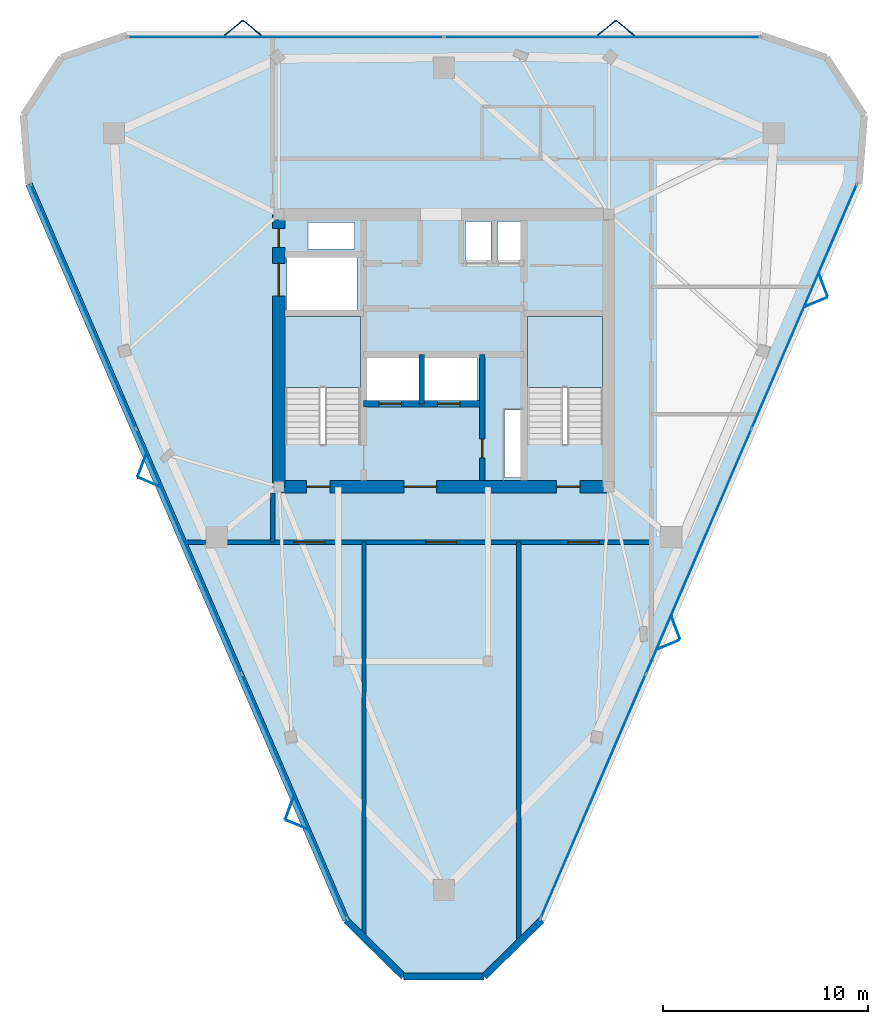
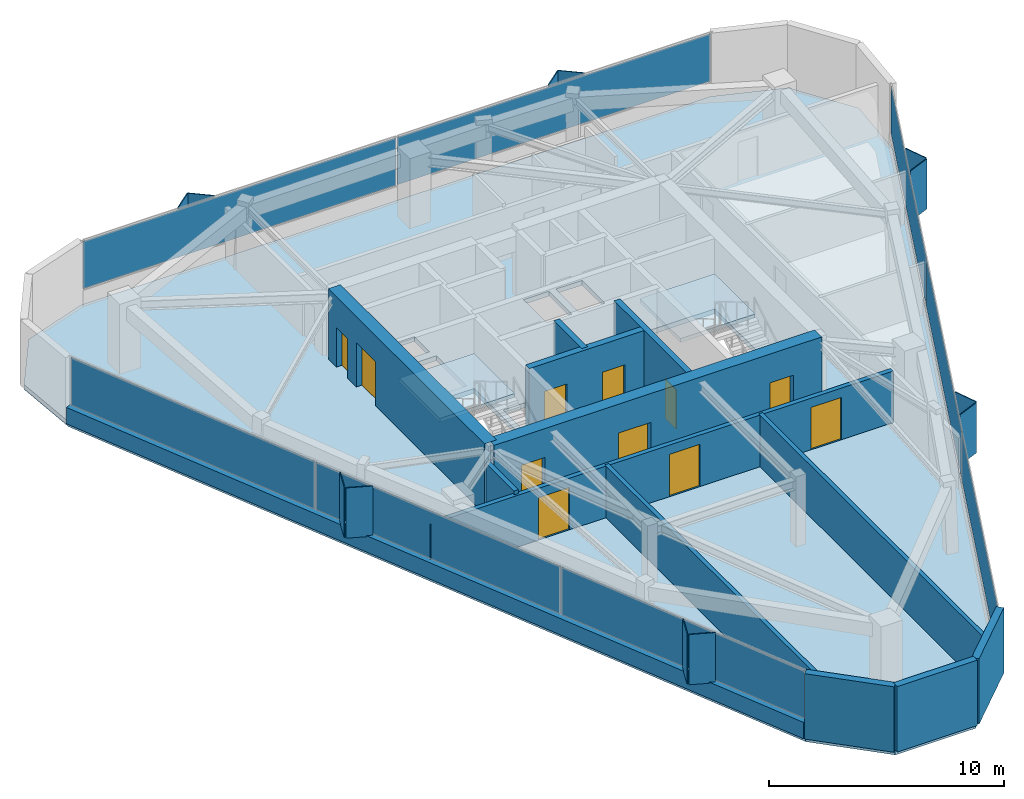
# One storey, part 6 of 9: 20 plates, 13 walls, 11 doors, 3 slabs, 11 openings, 5 elements without a shape of their own.
"""IFC4 building model written with IfcOpenShell, lengths in metres."""

import ifcopenshell
import ifcopenshell.guid

model = None  # the IFC model being written
_history = None  # IfcOwnerHistory: only IFC2X3 demands one
_inside = {}  # id of a spatial element -> (the spatial element, [elements in it])
_under = {}  # id of a project, library or spatial element -> (it, [spatial elements below it])
_declared = {}  # id of a project -> (the project, [libraries it declares])
_typed = {}  # id of a type object -> (the type object, [elements of that type])
_made_of = {}  # id of a material, layer set ... -> (it, [elements and type objects made of it])


def new_model(schema):
    """Start an empty IFC model of exactly this schema.

    Asked for "IFC4X3", IfcOpenShell would pick the latest addendum, in which some entities
    have other attributes; the version numbers below select the first issue.
    IFC2X3 requires an IfcOwnerHistory on every rooted entity: one is made here for all.
    """
    global model, _history
    if schema == "IFC4X3":
        model = ifcopenshell.file(schema_version=(4, 3, 0, 0))
    else:
        model = ifcopenshell.file(schema=schema)
    _inside.clear()
    _under.clear()
    _declared.clear()
    _typed.clear()
    _made_of.clear()
    _history = None
    if model.schema == "IFC2X3":
        org = make("IfcOrganization", Name="unknown")
        user = make(
            "IfcPersonAndOrganization",
            ThePerson=make("IfcPerson", FamilyName="unknown"),
            TheOrganization=org,
        )
        app = make(
            "IfcApplication",
            ApplicationDeveloper=org,
            Version="unknown",
            ApplicationFullName="unknown",
            ApplicationIdentifier="unknown",
        )
        _history = make(
            "IfcOwnerHistory",
            OwningUser=user,
            OwningApplication=app,
            ChangeAction="ADDED",
            CreationDate=0,
        )
    return model


def make(cls, **values):
    """One entity of the class cls with the attributes given. An attribute that is None is left unset."""
    return model.create_entity(
        cls, **{name: value for name, value in values.items() if value is not None}
    )


def rooted(cls, **values):
    """An entity with a GlobalId (a new one), such as an element, a storey or a relation."""
    return make(cls, GlobalId=ifcopenshell.guid.new(), OwnerHistory=_history, **values)


def si_unit(unit_type, name, prefix=None):
    """IfcSIUnit, for example si_unit("LENGTHUNIT", "METRE", prefix="MILLI")."""
    return make("IfcSIUnit", UnitType=unit_type, Prefix=prefix, Name=name)


def assignment(units):
    """IfcUnitAssignment: the units of a project."""
    return None if units is None else make("IfcUnitAssignment", Units=units)


def point(xyz):
    """IfcCartesianPoint."""
    return None if xyz is None else make("IfcCartesianPoint", Coordinates=xyz)


def direction(xyz):
    """IfcDirection."""
    return None if xyz is None else make("IfcDirection", DirectionRatios=xyz)


def frame(location, z_axis=None, x_axis=None):
    """IfcAxis2Placement3D, a coordinate frame: its origin and axes. An axis left out is left unset."""
    return make(
        "IfcAxis2Placement3D",
        Location=point(location),
        Axis=direction(z_axis),
        RefDirection=direction(x_axis),
    )


def frame_2d(location, x_axis=None):
    """IfcAxis2Placement2D, a coordinate frame in the plane: its origin and x axis."""
    return make(
        "IfcAxis2Placement2D", Location=point(location), RefDirection=direction(x_axis)
    )


def origin():
    """The frame at (0, 0, 0) with its axes left unset."""
    return frame((0.0, 0.0, 0.0))


def origin_2d():
    """The frame at (0, 0) in the plane with its x axis left unset."""
    return frame_2d((0.0, 0.0))


def place(relative_to, where):
    """IfcLocalPlacement: puts the frame where relative to a parent placement (None: the world)."""
    return make(
        "IfcLocalPlacement", PlacementRelTo=relative_to, RelativePlacement=where
    )


def context(
    kind, dimensions, precision=None, world=None, true_north=None, identifier=None
):
    """IfcGeometricRepresentationContext, for example the 3D "Model" context."""
    return make(
        "IfcGeometricRepresentationContext",
        ContextIdentifier=identifier,
        ContextType=kind,
        CoordinateSpaceDimension=dimensions,
        Precision=precision,
        WorldCoordinateSystem=world,
        TrueNorth=true_north,
    )


def subcontext(parent, identifier, kind, view, scale=None):
    """IfcGeometricRepresentationSubContext, for example "Body" below "Model"."""
    return make(
        "IfcGeometricRepresentationSubContext",
        ContextIdentifier=identifier,
        ContextType=kind,
        ParentContext=parent,
        TargetScale=scale,
        TargetView=view,
    )


def project(units=None, contexts=None):
    """IfcProject with its units and contexts."""
    return rooted(
        "IfcProject",
        Name="project",
        RepresentationContexts=contexts,
        UnitsInContext=assignment(units),
    )


def spatial(cls, under=None, at=None, **own):
    """A site, building, storey or space (cls), placed at a placement, below another one or the project."""
    s = rooted(cls, ObjectPlacement=at, **own)
    if under is not None:
        _under.setdefault(under.id(), (under, []))[1].append(s)
    return s


def polyline(points):
    """IfcPolyline through the points."""
    return make("IfcPolyline", Points=[point(p) for p in points])


def profile(cls, at=None, kind="AREA", **sizes):
    """A parametric profile (cls). Its sizes go by their IFC names, for example OverallWidth=200.0."""
    return make(cls, ProfileType=kind, Position=at, **sizes)


def rectangle(**sizes):
    """IfcRectangleProfileDef."""
    return profile("IfcRectangleProfileDef", **sizes)


def outline(outer, holes=None, kind="AREA"):
    """IfcArbitraryClosedProfileDef: a profile drawn as a closed curve; with holes, ...WithVoids."""
    if holes is None:
        return make("IfcArbitraryClosedProfileDef", ProfileType=kind, OuterCurve=outer)
    return make(
        "IfcArbitraryProfileDefWithVoids",
        ProfileType=kind,
        OuterCurve=outer,
        InnerCurves=holes,
    )


def extrude(swept, where, along, depth):
    """IfcExtrudedAreaSolid: the profile swept, set in the frame where, extruded along a direction by depth."""
    return make(
        "IfcExtrudedAreaSolid",
        SweptArea=swept,
        Position=where,
        ExtrudedDirection=direction(along),
        Depth=depth,
    )


def shape(context_of_items, identifier, shape_type, items):
    """IfcShapeRepresentation: the items that make up one representation, for example the "Body"."""
    return make(
        "IfcShapeRepresentation",
        ContextOfItems=context_of_items,
        RepresentationIdentifier=identifier,
        RepresentationType=shape_type,
        Items=items,
    )


def material(Name=None, Category=None):
    """IfcMaterial."""
    return make("IfcMaterial", Name=Name, Category=Category)


def layer(
    of_material, thickness, ventilated=None, Name=None, Category=None, Priority=None
):
    """IfcMaterialLayer: one layer of a wall or slab, of a material (None: an air gap)."""
    return make(
        "IfcMaterialLayer",
        Material=of_material,
        LayerThickness=thickness,
        IsVentilated=ventilated,
        Name=Name,
        Category=Category,
        Priority=Priority,
    )


def layer_set(layers, Name=None):
    """IfcMaterialLayerSet."""
    return make("IfcMaterialLayerSet", MaterialLayers=layers, LayerSetName=Name)


def made_of(thing, what):
    """Note that an element or type object is made of a material, layer set ...; save() writes the relation."""
    if what is not None:
        _made_of.setdefault(what.id(), (what, []))[1].append(thing)
    return thing


def type_object(cls, material=None, **own):
    """A type object (cls), such as IfcWallType, which elements share."""
    return made_of(rooted(cls, **own), material)


def element(
    cls,
    number,
    at=None,
    inside=None,
    cuts=None,
    type_object=None,
    material=None,
    context=None,
    identifier="Body",
    shape_type=None,
    held_by="IfcProductDefinitionShape",
    body=None,
    shapes=None,
    **own,
):
    """One element of the class cls, such as IfcWall. Its Tag is "e" and its number.

    at: its placement. inside: the storey or other place that contains it. cuts: it is an
    opening in that element (IfcRelVoidsElement). A single representation is given by context,
    identifier, shape_type and body (its items); several are given by shapes. held_by: the class
    of the entity that holds the representations. save() writes the other relations.
    """
    e = rooted(cls, Tag="e%d" % number, ObjectPlacement=at, **own)
    if body is not None:
        shapes = [shape(context, identifier, shape_type, body)]
    if shapes is not None:
        e.Representation = make(held_by, Representations=shapes)
    if inside is not None:
        _inside.setdefault(inside.id(), (inside, []))[1].append(e)
    if cuts is not None:
        rooted(
            "IfcRelVoidsElement", RelatingBuildingElement=cuts, RelatedOpeningElement=e
        )
    if type_object is not None:
        _typed.setdefault(type_object.id(), (type_object, []))[1].append(e)
    return made_of(e, material)


def fill(opening, filler):
    """IfcRelFillsElement: the door or window that sits in an opening."""
    return rooted(
        "IfcRelFillsElement",
        RelatingOpeningElement=opening,
        RelatedBuildingElement=filler,
    )


def aggregate(whole, parts):
    """IfcRelAggregates: a whole, such as a stair, and the parts it consists of."""
    return rooted("IfcRelAggregates", RelatingObject=whole, RelatedObjects=parts)


def save(model, path):
    """Write the relations noted so far, then the file.

    IfcRelAggregates (storeys below a building ...), IfcRelContainedInSpatialStructure (elements
    in a storey), IfcRelDefinesByType, IfcRelAssociatesMaterial and IfcRelDeclares: one each for
    every whole, place, type object, material and project.
    """
    for whole, parts in _under.values():
        aggregate(whole, parts)
    for where, things in _inside.values():
        rooted(
            "IfcRelContainedInSpatialStructure",
            RelatedElements=things,
            RelatingStructure=where,
        )
    for kind, things in _typed.values():
        rooted("IfcRelDefinesByType", RelatedObjects=things, RelatingType=kind)
    for what, things in _made_of.values():
        rooted("IfcRelAssociatesMaterial", RelatedObjects=things, RelatingMaterial=what)
    for by, libraries in _declared.values():
        rooted("IfcRelDeclares", RelatingContext=by, RelatedDefinitions=libraries)
    model.write(path)


model = new_model("IFC4")

# Units and contexts
model_context = context("Model", 3, precision=1e-05, world=origin(), true_north=direction((0.0, 1.0)))
body_context = subcontext(model_context, "Body", "Model", "MODEL_VIEW")
ifc_project = project(units=[si_unit("LENGTHUNIT", "METRE"), si_unit("AREAUNIT", "SQUARE_METRE"), si_unit("VOLUMEUNIT", "CUBIC_METRE"), si_unit("PLANEANGLEUNIT", "RADIAN"), si_unit("MASSUNIT", "GRAM", prefix="KILO")], contexts=[model_context])

# Site, building, storey
site_placement = place(None, origin())
site = spatial("IfcSite", under=ifc_project, at=site_placement, CompositionType="ELEMENT")
building_placement = place(site_placement, origin())
building = spatial("IfcBuilding", under=site, at=building_placement, Name="Talyreon Biosciences Tower", CompositionType="ELEMENT")
storey_placement = place(building_placement, frame((0.0, 0.0, 302.050048828125)))
storey = spatial("IfcBuildingStorey", under=building, at=storey_placement, Name="L80", CompositionType="ELEMENT", Elevation=302.050048828125)

# Curtain wall, plates
ifc_material_1 = material(Name="Thermally broken aluminium and low-E glazing", Category="aluminium")
ifc_layer_1 = layer(ifc_material_1, 0.175048828125)
ifc_layer_set_1 = layer_set([ifc_layer_1], Name="Thermally broken aluminium and low-E glazing")
curtain_wall_type = type_object("IfcCurtainWallType", Name="CurtainWall_Zone5CompLab", PredefinedType="NOTDEFINED", material=ifc_layer_set_1)
curtain_wall_1_placement = place(storey_placement, origin())
curtain_wall_1 = element("IfcCurtainWall", 1, at=curtain_wall_1_placement, inside=storey, type_object=curtain_wall_type, Name="L80 Unitised Curtain Wall FCW-L80-00", PredefinedType="NOTDEFINED")
ifc_material_2 = material(Name="Triple-silver low-E insulated glazing", Category="glass")
ifc_layer_2 = layer(ifc_material_2, 0.031982421875)
ifc_layer_set_2 = layer_set([ifc_layer_2], Name="Triple-silver low-E insulated glazing")
plate_type_1 = type_object("IfcPlateType", Name="CWGlazingPanel_32", PredefinedType="CURTAIN_PANEL", material=ifc_layer_set_2)
plate_1_placement = place(storey_placement, frame((58.712158203125, 46.241943359375, 0.875), z_axis=(0.0, 0.0, 1.0), x_axis=(-0.395738333444, 0.918363311246, 0.0)))
plate_1 = element("IfcPlate", 2, at=plate_1_placement, type_object=plate_type_1, Name="CW6 panel 1.1", PredefinedType="CURTAIN_PANEL", context=body_context, shape_type="SweptSolid", body=[
    extrude(rectangle(XDim=12.938720703125, YDim=0.031982421875, at=origin_2d()), origin(), (0.0, 0.0, 1.0), 2.4599609375),
])
plate_2_placement = place(storey_placement, frame((53.5595703125, 58.19921875, 0.875), z_axis=(0.0, 0.0, 1.0), x_axis=(-0.395738333444, 0.918363311246, 0.0)))
plate_2 = element("IfcPlate", 3, at=plate_2_placement, type_object=plate_type_1, Name="CW6 panel 2.1", PredefinedType="CURTAIN_PANEL", context=body_context, shape_type="SweptSolid", body=[
    extrude(rectangle(XDim=12.97119140625, YDim=0.031982421875, at=origin_2d()), origin(), (0.0, 0.0, 1.0), 2.4599609375),
])
plate_3_placement = place(storey_placement, frame((48.406982421875, 70.15625, 0.875), z_axis=(0.0, 0.0, 1.0), x_axis=(-0.395738333444, 0.918363311246, 0.0)))
plate_3 = element("IfcPlate", 4, at=plate_3_placement, type_object=plate_type_1, Name="CW6 panel 3.1", PredefinedType="CURTAIN_PANEL", context=body_context, shape_type="SweptSolid", body=[
    extrude(rectangle(XDim=12.938720703125, YDim=0.031982421875, at=origin_2d()), origin(), (0.0, 0.0, 1.0), 2.4599609375),
])
aggregate(curtain_wall_1, [plate_1, plate_2, plate_3])

curtain_wall_2_placement = place(storey_placement, origin())
curtain_wall_2 = element("IfcCurtainWall", 5, at=curtain_wall_2_placement, inside=storey, type_object=curtain_wall_type, Name="L80 Unitised Curtain Wall FCW-L80-04", PredefinedType="NOTDEFINED")
plate_4_placement = place(storey_placement, frame((58.27783203125, 83.303466796875, 0.875), z_axis=(0.0, 0.0, 1.0), x_axis=(1.0, 0.0, 0.0)))
plate_4 = element("IfcPlate", 6, at=plate_4_placement, type_object=plate_type_1, Name="CW6 panel 1.1", PredefinedType="CURTAIN_PANEL", context=body_context, shape_type="SweptSolid", body=[
    extrude(rectangle(XDim=15.37939453125, YDim=0.031982421875, at=origin_2d()), origin(), (0.0, 0.0, 1.0), 2.4599609375),
])
plate_5_placement = place(storey_placement, frame((73.72216796875, 83.303466796875, 0.875), z_axis=(0.0, 0.0, 1.0), x_axis=(1.0, 0.0, 0.0)))
plate_5 = element("IfcPlate", 7, at=plate_5_placement, type_object=plate_type_1, Name="CW6 panel 2.1", PredefinedType="CURTAIN_PANEL", context=body_context, shape_type="SweptSolid", body=[
    extrude(rectangle(XDim=15.37939453125, YDim=0.031982421875, at=origin_2d()), origin(), (0.0, 0.0, 1.0), 2.4599609375),
])
aggregate(curtain_wall_2, [plate_4, plate_5])

curtain_wall_3_placement = place(storey_placement, origin())
curtain_wall_3 = element("IfcCurtainWall", 8, at=curtain_wall_3_placement, inside=storey, type_object=curtain_wall_type, Name="L80 Unitised Curtain Wall FCW-L80-08", PredefinedType="NOTDEFINED")
plate_6_placement = place(storey_placement, frame((83.593017578125, 70.15625, 0.875), z_axis=(0.0, 0.0, 1.0), x_axis=(-0.395738333444, -0.918363311246, 0.0)))
plate_6 = element("IfcPlate", 9, at=plate_6_placement, type_object=plate_type_1, Name="CW6 panel 1.1", PredefinedType="CURTAIN_PANEL", context=body_context, shape_type="SweptSolid", body=[
    extrude(rectangle(XDim=12.938720703125, YDim=0.031982421875, at=origin_2d()), origin(), (0.0, 0.0, 1.0), 2.4599609375),
])
plate_7_placement = place(storey_placement, frame((78.4404296875, 58.19921875, 0.875), z_axis=(0.0, 0.0, 1.0), x_axis=(-0.395738333444, -0.918363311246, 0.0)))
plate_7 = element("IfcPlate", 10, at=plate_7_placement, type_object=plate_type_1, Name="CW6 panel 2.1", PredefinedType="CURTAIN_PANEL", context=body_context, shape_type="SweptSolid", body=[
    extrude(rectangle(XDim=12.97119140625, YDim=0.031982421875, at=origin_2d()), origin(), (0.0, 0.0, 1.0), 2.4599609375),
])
plate_8_placement = place(storey_placement, frame((73.287841796875, 46.241943359375, 0.875), z_axis=(0.0, 0.0, 1.0), x_axis=(-0.395738333444, -0.918363311246, 0.0)))
plate_8 = element("IfcPlate", 11, at=plate_8_placement, type_object=plate_type_1, Name="CW6 panel 3.1", PredefinedType="CURTAIN_PANEL", context=body_context, shape_type="SweptSolid", body=[
    extrude(rectangle(XDim=12.938720703125, YDim=0.031982421875, at=origin_2d()), origin(), (0.0, 0.0, 1.0), 2.4599609375),
])
aggregate(curtain_wall_3, [plate_6, plate_7, plate_8])

# Slab
ifc_material_3 = material(Name="Concrete C40/50", Category="concrete")
ifc_layer_3 = layer(ifc_material_3, 0.25)
ifc_layer_set_3 = layer_set([ifc_layer_3], Name="Concrete C40/50")
slab_type_1 = type_object("IfcSlabType", Name="DryLabFloorSlab_250", PredefinedType="FLOOR", material=ifc_layer_set_3)
slab_1_placement = place(storey_placement, frame((0.0, 0.0, -0.25)))
element("IfcSlab", 12, at=slab_1_placement, inside=storey, type_object=slab_type_1, Name="L80 Structural Floor Slab", PredefinedType="FLOOR", context=body_context, shape_type="SweptSolid", body=[
    extrude(outline(polyline([(61.224609375, 40.20947265625), (45.74755859375, 76.12548828125), (45.48779296875, 79.481689453125), (47.338134765625, 82.2939453125), (50.523193359375, 83.38330078125), (81.476806640625, 83.38330078125), (84.661865234375, 82.2939453125), (86.51220703125, 79.481689453125), (86.25244140625, 76.12548828125), (70.775390625, 40.20947265625), (67.96728515625, 37.45361328125), (64.03271484375, 37.45361328125), (61.224609375, 40.20947265625)]), holes=[polyline([(69.820068359375, 65.10009765625), (69.820068359375, 61.800048828125), (68.9599609375, 61.800048828125), (68.9599609375, 65.10009765625), (69.820068359375, 65.10009765625)]), polyline([(61.929931640625, 69.64990234375), (61.929931640625, 63.407958984375), (58.25, 63.407958984375), (58.25, 69.64990234375), (61.929931640625, 69.64990234375)]), polyline([(73.75, 69.64990234375), (73.75, 63.407958984375), (70.070068359375, 63.407958984375), (70.070068359375, 69.64990234375), (73.75, 69.64990234375)]), polyline([(64.800048828125, 67.64990234375), (64.800048828125, 65.550048828125), (62.199951171875, 65.550048828125), (62.199951171875, 67.64990234375), (64.800048828125, 67.64990234375)]), polyline([(67.64990234375, 67.64990234375), (67.64990234375, 65.550048828125), (65.050048828125, 65.550048828125), (65.050048828125, 67.64990234375), (67.64990234375, 67.64990234375)]), polyline([(61.75, 72.550048828125), (61.75, 69.97998046875), (58.35009765625, 69.97998046875), (58.35009765625, 72.550048828125), (61.75, 72.550048828125)]), polyline([(68.300048828125, 74.300048828125), (68.300048828125, 72.35009765625), (67.050048828125, 72.35009765625), (67.050048828125, 74.300048828125), (68.300048828125, 74.300048828125)]), polyline([(69.919921875, 72.35009765625), (68.6201171875, 72.35009765625), (68.6201171875, 74.300048828125), (69.919921875, 74.300048828125), (69.919921875, 72.35009765625)]), polyline([(61.64990234375, 72.9599609375), (59.39990234375, 72.9599609375), (59.39990234375, 74.25), (61.64990234375, 74.25), (61.64990234375, 72.9599609375)])]), origin(), (0.0, 0.0, 1.0), 0.25),
])

# Plates
ifc_material_4 = material(Name="Ivory GFRC sunshade panel", Category="concrete")
ifc_layer_4 = layer(ifc_material_4, 0.044921875)
ifc_layer_set_4 = layer_set([ifc_layer_4], Name="Ivory GFRC sunshade panel")
plate_type_2 = type_object("IfcPlateType", Name="FoldedVSunshade_NorthFace_SUNSHADE", PredefinedType="USERDEFINED", material=ifc_layer_set_4)
for number, where, z_axis, x_axis, name in (
    (13, (55.7431640625, 83.743408203125, 0.7900390625), (0.0, 0.0, 1.0), (0.771624583388, 0.636078220278, 0.0), "L80 Folded V-Sunshade Panel 04.01L"),
    (14, (56.64306640625, 83.743408203125, 0.7900390625), (0.0, 0.0, 1.0), (0.771624583388, -0.636078220278, 0.0), "L80 Folded V-Sunshade Panel 04.01R"),
    (15, (73.943115234375, 83.743408203125, 0.7900390625), (0.0, 0.0, 1.0), (0.771624583388, 0.636078220278, 0.0), "L80 Folded V-Sunshade Panel 04.02L"),
    (16, (74.843017578125, 83.743408203125, 0.7900390625), (0.0, 0.0, 1.0), (0.771624583388, -0.636078220278, 0.0), "L80 Folded V-Sunshade Panel 04.02R"),
):
    element("IfcPlate", number, at=place(storey_placement, frame(where, z_axis=z_axis, x_axis=x_axis)), inside=storey, type_object=plate_type_2, Name=name, ObjectType="SUNSHADE", PredefinedType="USERDEFINED", context=body_context, shape_type="SweptSolid", body=[
        extrude(rectangle(XDim=1.14990234375, YDim=0.044921875, at=origin_2d()), origin(), (0.0, 0.0, 1.0), 2.610107421875),
    ])
ifc_layer_5 = layer(ifc_material_4, 0.044921875)
ifc_layer_set_5 = layer_set([ifc_layer_5], Name="Ivory GFRC sunshade panel")
plate_type_3 = type_object("IfcPlateType", Name="FoldedVSunshade_SunFace_SUNSHADE", PredefinedType="USERDEFINED", material=ifc_layer_set_5)
for number, where, z_axis, x_axis, name in (
    (17, (58.828125, 44.86083984375, 0.7900390625), (0.0, 0.0, 1.0), (-0.922618893195, 0.385712817936, 0.0), "L80 Folded V-Sunshade Panel 00.01L"),
    (18, (58.471923828125, 45.687255859375, 0.7900390625), (0.0, 0.0, 1.0), (0.353278917088, 0.935518041911, 0.0), "L80 Folded V-Sunshade Panel 00.01R"),
    (19, (51.625732421875, 61.574951171875, 0.7900390625), (0.0, 0.0, 1.0), (-0.922618893195, 0.385712817936, 0.0), "L80 Folded V-Sunshade Panel 00.02L"),
    (20, (51.26953125, 62.401611328125, 0.7900390625), (0.0, 0.0, 1.0), (0.353278917088, 0.935518041911, 0.0), "L80 Folded V-Sunshade Panel 00.02R"),
    (21, (84.517333984375, 71.189208984375, 0.7900390625), (0.0, 0.0, 1.0), (0.353278917088, -0.935518041911, 0.0), "L80 Folded V-Sunshade Panel 08.01L"),
    (22, (84.1611328125, 70.36279296875, 0.7900390625), (0.0, 0.0, 1.0), (-0.922618893195, -0.385712817936, 0.0), "L80 Folded V-Sunshade Panel 08.01R"),
    (23, (77.314697265625, 54.47509765625, 0.7900390625), (0.0, 0.0, 1.0), (0.353278917088, -0.935518041911, 0.0), "L80 Folded V-Sunshade Panel 08.02L"),
    (24, (76.958740234375, 53.6484375, 0.7900390625), (0.0, 0.0, 1.0), (-0.922618893195, -0.385712817936, 0.0), "L80 Folded V-Sunshade Panel 08.02R"),
):
    element("IfcPlate", number, at=place(storey_placement, frame(where, z_axis=z_axis, x_axis=x_axis)), inside=storey, type_object=plate_type_3, Name=name, ObjectType="SUNSHADE", PredefinedType="USERDEFINED", context=body_context, shape_type="SweptSolid", body=[
        extrude(rectangle(XDim=1.14990234375, YDim=0.044921875, at=origin_2d()), origin(), (0.0, 0.0, 1.0), 2.610107421875),
    ])

# Stair, slab
stair_type = type_object("IfcStairType", Name="DoglegEscapeStair_3650", PredefinedType="HALF_TURN_STAIR", material=ifc_material_3)
stair_1_placement = place(storey_placement, origin())
stair_1 = element("IfcStair", 25, at=stair_1_placement, inside=storey, type_object=stair_type, Name="L80 Core Escape Stair 1", PredefinedType="HALF_TURN_STAIR")
ifc_layer_6 = layer(ifc_material_3, 0.199951171875)
ifc_layer_set_6 = layer_set([ifc_layer_6], Name="Concrete C40/50")
slab_type_2 = type_object("IfcSlabType", Name="StairLandingSlab_200", PredefinedType="LANDING", material=ifc_layer_set_6)
slab_2_placement = place(storey_placement, frame((0.0, 0.0, 1.625)))
slab_2 = element("IfcSlab", 26, at=slab_2_placement, type_object=slab_type_2, Name="ST-1 landing 1", PredefinedType="LANDING", context=body_context, shape_type="SweptSolid", body=[
    extrude(outline(polyline([(61.929931640625, 66.199951171875), (61.929931640625, 69.64990234375), (58.25, 69.64990234375), (58.25, 66.199951171875), (61.929931640625, 66.199951171875)])), origin(), (0.0, 0.0, 1.0), 0.199951171875),
])
aggregate(stair_1, [slab_2])

stair_2_placement = place(storey_placement, origin())
stair_2 = element("IfcStair", 27, at=stair_2_placement, inside=storey, type_object=stair_type, Name="L80 Core Escape Stair 2", PredefinedType="HALF_TURN_STAIR")
slab_3_placement = place(storey_placement, frame((0.0, 0.0, 1.625)))
slab_3 = element("IfcSlab", 28, at=slab_3_placement, type_object=slab_type_2, Name="ST-2 landing 1", PredefinedType="LANDING", context=body_context, shape_type="SweptSolid", body=[
    extrude(outline(polyline([(73.75, 66.199951171875), (73.75, 69.64990234375), (70.070068359375, 69.64990234375), (70.070068359375, 66.199951171875), (73.75, 66.199951171875)])), origin(), (0.0, 0.0, 1.0), 0.199951171875),
])
aggregate(stair_2, [slab_3])

# Walls
ifc_material_5 = material(Name="Gypsum fireboard acoustic stud", Category="gypsum")
ifc_layer_7 = layer(ifc_material_5, 0.199951171875)
ifc_layer_set_7 = layer_set([ifc_layer_7], Name="Gypsum fireboard acoustic stud")
wall_type_1 = type_object("IfcWallType", Name="ChemControlPartition_200", PredefinedType="PARTITIONING", material=ifc_layer_set_7)
wall_1_placement = place(storey_placement, frame((62.093994140625, 39.475341796875, 0.0), z_axis=(0.0, 0.0, 1.0), x_axis=(0.0, 1.0, 0.0)))
element("IfcWall", 29, at=wall_1_placement, inside=storey, type_object=wall_type_1, Name="L80 Interior Wall IW-L80-SDIV1", PredefinedType="PARTITIONING", context=body_context, shape_type="SweptSolid", body=[
    extrude(rectangle(XDim=19.174560546875, YDim=0.199951171875, at=frame_2d((9.58740234375, 0.0))), origin(), (0.0, 0.0, 1.0), 2.679931640625),
])
wall_2_placement = place(storey_placement, frame((69.656982421875, 39.23095703125, 0.0), z_axis=(0.0, 0.0, 1.0), x_axis=(0.0, 1.0, 0.0)))
element("IfcWall", 30, at=wall_2_placement, inside=storey, type_object=wall_type_1, Name="L80 Interior Wall IW-L80-SDIV2", PredefinedType="PARTITIONING", context=body_context, shape_type="SweptSolid", body=[
    extrude(rectangle(XDim=19.4189453125, YDim=0.199951171875, at=frame_2d((9.70947265625, 0.0))), origin(), (0.0, 0.0, 1.0), 2.679931640625),
])
ifc_material_6 = material(Name="Concrete C50/60", Category="concrete")
ifc_layer_8 = layer(ifc_material_6, 0.280029296875)
ifc_layer_set_8 = layer_set([ifc_layer_8], Name="Concrete C50/60")
wall_type_2 = type_object("IfcWallType", Name="CoreShearWall_280", PredefinedType="SHEAR", material=ifc_layer_set_8)
wall_3_placement = place(storey_placement, frame((64.919921875, 65.39990234375, 0.0), z_axis=(0.0, 0.0, 1.0), x_axis=(0.0, 1.0, 0.0)))
element("IfcWall", 31, at=wall_3_placement, inside=storey, type_object=wall_type_2, Name="L80 Core Shaft Wall SWSHD1", PredefinedType="SHEAR", context=body_context, shape_type="SweptSolid", body=[
    extrude(rectangle(XDim=2.400146484375, YDim=0.280029296875, at=frame_2d((1.2001953125, 0.0))), origin(), (0.0, 0.0, 1.0), 3.64990234375),
])

# Wall, opening, door
wall_4_placement = place(storey_placement, frame((67.8798828125, 61.64990234375, 0.0), z_axis=(0.0, 0.0, 1.0), x_axis=(0.0, 1.0, 0.0)))
wall_4 = element("IfcWall", 32, at=wall_4_placement, inside=storey, type_object=wall_type_2, Name="L80 Core Shaft Wall SWFFE", PredefinedType="SHEAR", context=body_context, shape_type="SweptSolid", body=[
    extrude(rectangle(XDim=6.150146484375, YDim=0.280029296875, at=frame_2d((3.0751953125, 0.0))), origin(), (0.0, 0.0, 1.0), 3.64990234375),
])
opening_1_placement = place(wall_4_placement, frame((1.10009765625, 0.0, 0.0)))
opening_1 = element("IfcOpeningElement", 33, at=opening_1_placement, cuts=wall_4, Name="Opening DR-L80-RSE", PredefinedType="OPENING", context=body_context, shape_type="SweptSolid", body=[
    extrude(rectangle(XDim=0.919921875, YDim=2.050048828125, at=frame_2d((0.4599609375, 1.02490234375))), frame((0.0, 0.14990234375, 0.0), z_axis=(0.0, -1.0, 0.0), x_axis=(1.0, 0.0, 0.0)), (0.0, 0.0, 1.0), 0.300048828125),
])
ifc_material_7 = material(Name="Painted steel fire-rated riser door", Category="steel")
door_type_1 = type_object("IfcDoorType", Name="RiserPlantAccessDoor_920x2050", OperationType="NOTDEFINED", PredefinedType="DOOR", material=ifc_material_7)
door_1_placement = place(opening_1_placement, origin())
door_1 = element("IfcDoor", 34, at=door_1_placement, inside=storey, type_object=door_type_1, Name="L80 Core Door DR-L80-RSE", OperationType="SINGLE_SWING_RIGHT", OverallHeight=2.050048828125, OverallWidth=0.919921875, PredefinedType="DOOR", context=body_context, shape_type="SweptSolid", body=[
    extrude(rectangle(XDim=0.919921875, YDim=2.050048828125, at=frame_2d((0.4599609375, 1.02490234375))), frame((0.0, 0.02490234375, 0.0), z_axis=(0.0, -1.0, 0.0), x_axis=(1.0, 0.0, 0.0)), (0.0, 0.0, 1.0), 0.050048828125),
])
fill(opening_1, door_1)

# Wall, openings, doors
ifc_layer_9 = layer(ifc_material_6, 0.320068359375)
ifc_layer_set_9 = layer_set([ifc_layer_9], Name="Concrete C50/60")
wall_type_3 = type_object("IfcWallType", Name="CoreShearWall_320", PredefinedType="SHEAR", material=ifc_layer_set_9)
wall_5_placement = place(storey_placement, frame((62.090087890625, 65.39990234375, 0.0), z_axis=(0.0, 0.0, 1.0), x_axis=(1.0, 0.0, 0.0)))
wall_5 = element("IfcWall", 35, at=wall_5_placement, inside=storey, type_object=wall_type_3, Name="L80 Core Shaft Wall SWFFN", PredefinedType="SHEAR", context=body_context, shape_type="SweptSolid", body=[
    extrude(rectangle(XDim=5.789794921875, YDim=0.320068359375, at=frame_2d((2.89501953125, 0.0))), origin(), (0.0, 0.0, 1.0), 3.64990234375),
])
opening_2_placement = place(wall_5_placement, frame((0.75, 0.0, 0.0)))
opening_2 = element("IfcOpeningElement", 36, at=opening_2_placement, cuts=wall_5, Name="Opening LD-L80-FL1", PredefinedType="OPENING", context=body_context, shape_type="SweptSolid", body=[
    extrude(rectangle(XDim=1.10009765625, YDim=2.199951171875, at=frame_2d((0.550048828125, 1.10009765625))), frame((0.0, 0.169921875, 0.0), z_axis=(0.0, -1.0, 0.0), x_axis=(1.0, 0.0, 0.0)), (0.0, 0.0, 1.0), 0.340087890625),
])
opening_3_placement = place(wall_5_placement, frame((3.60009765625, 0.0, 0.0)))
opening_3 = element("IfcOpeningElement", 37, at=opening_3_placement, cuts=wall_5, Name="Opening LD-L80-FL2", PredefinedType="OPENING", context=body_context, shape_type="SweptSolid", body=[
    extrude(rectangle(XDim=1.10009765625, YDim=2.199951171875, at=frame_2d((0.550048828125, 1.10009765625))), frame((0.0, 0.169921875, 0.0), z_axis=(0.0, -1.0, 0.0), x_axis=(1.0, 0.0, 0.0)), (0.0, 0.0, 1.0), 0.340087890625),
])
ifc_material_8 = material(Name="Brushed stainless-steel lift landing door", Category="steel")
door_type_2 = type_object("IfcDoorType", Name="LiftSlidingLandingDoor_1100x2200", OperationType="SLIDING_TO_LEFT", PredefinedType="DOOR", material=ifc_material_8)
door_2_placement = place(opening_2_placement, origin())
door_2 = element("IfcDoor", 38, at=door_2_placement, inside=storey, type_object=door_type_2, Name="L80 Core Door LD-L80-FL1", OperationType="SLIDING_TO_LEFT", OverallHeight=2.199951171875, OverallWidth=1.10009765625, PredefinedType="DOOR", context=body_context, shape_type="SweptSolid", body=[
    extrude(rectangle(XDim=1.10009765625, YDim=2.199951171875, at=frame_2d((0.550048828125, 1.10009765625))), frame((0.0, 0.02490234375, 0.0), z_axis=(0.0, -1.0, 0.0), x_axis=(1.0, 0.0, 0.0)), (0.0, 0.0, 1.0), 0.050048828125),
])
fill(opening_2, door_2)
door_3_placement = place(opening_3_placement, origin())
door_3 = element("IfcDoor", 39, at=door_3_placement, inside=storey, type_object=door_type_2, Name="L80 Core Door LD-L80-FL2", OperationType="SLIDING_TO_LEFT", OverallHeight=2.199951171875, OverallWidth=1.10009765625, PredefinedType="DOOR", context=body_context, shape_type="SweptSolid", body=[
    extrude(rectangle(XDim=1.10009765625, YDim=2.199951171875, at=frame_2d((0.550048828125, 1.10009765625))), frame((0.0, 0.02490234375, 0.0), z_axis=(0.0, -1.0, 0.0), x_axis=(1.0, 0.0, 0.0)), (0.0, 0.0, 1.0), 0.050048828125),
])
fill(opening_3, door_3)

ifc_layer_10 = layer(ifc_material_6, 0.60009765625)
ifc_layer_set_10 = layer_set([ifc_layer_10], Name="Concrete C50/60")
wall_type_4 = type_object("IfcWallType", Name="CoreShearWall_600", PredefinedType="SHEAR", material=ifc_layer_set_10)
wall_6_placement = place(storey_placement, frame((57.949951171875, 61.35009765625, 0.0), z_axis=(0.0, 0.0, 1.0), x_axis=(1.0, 0.0, 0.0)))
wall_6 = element("IfcWall", 40, at=wall_6_placement, inside=storey, type_object=wall_type_4, Name="L80 Core Shear Wall S", PredefinedType="SHEAR", context=body_context, shape_type="SweptSolid", body=[
    extrude(rectangle(XDim=16.10009765625, YDim=0.60009765625, at=frame_2d((8.050048828125, 0.0))), origin(), (0.0, 0.0, 1.0), 3.64990234375),
])
opening_4_placement = place(wall_6_placement, frame((1.35009765625, 0.0, 0.0)))
opening_4 = element("IfcOpeningElement", 41, at=opening_4_placement, cuts=wall_6, Name="Opening DR-L80-ST1", PredefinedType="OPENING", context=body_context, shape_type="SweptSolid", body=[
    extrude(rectangle(XDim=1.14990234375, YDim=2.14990234375, at=frame_2d((0.574951171875, 1.074951171875))), frame((0.0, 0.31005859375, 0.0), z_axis=(0.0, -1.0, 0.0), x_axis=(1.0, 0.0, 0.0)), (0.0, 0.0, 1.0), 0.6201171875),
])
opening_5_placement = place(wall_6_placement, frame((6.10009765625, 0.0, 0.0)))
opening_5 = element("IfcOpeningElement", 42, at=opening_5_placement, cuts=wall_6, Name="Opening DR-L80-FFL", PredefinedType="OPENING", context=body_context, shape_type="SweptSolid", body=[
    extrude(rectangle(XDim=1.60009765625, YDim=2.14990234375, at=frame_2d((0.800048828125, 1.074951171875))), frame((0.0, 0.31005859375, 0.0), z_axis=(0.0, -1.0, 0.0), x_axis=(1.0, 0.0, 0.0)), (0.0, 0.0, 1.0), 0.6201171875),
])
opening_6_placement = place(wall_6_placement, frame((13.550048828125, 0.0, 0.0)))
opening_6 = element("IfcOpeningElement", 43, at=opening_6_placement, cuts=wall_6, Name="Opening DR-L80-ST2", PredefinedType="OPENING", context=body_context, shape_type="SweptSolid", body=[
    extrude(rectangle(XDim=1.14990234375, YDim=2.14990234375, at=frame_2d((0.574951171875, 1.074951171875))), frame((0.0, 0.31005859375, 0.0), z_axis=(0.0, -1.0, 0.0), x_axis=(1.0, 0.0, 0.0)), (0.0, 0.0, 1.0), 0.6201171875),
])
ifc_material_9 = material(Name="Painted steel smoke-seal fire door", Category="steel")
door_type_3 = type_object("IfcDoorType", Name="FirefightingLobbyDoubleDoor_1600x2150", OperationType="DOUBLE_DOOR_SINGLE_SWING", PredefinedType="DOOR", material=ifc_material_9)
door_4_placement = place(opening_5_placement, origin())
door_4 = element("IfcDoor", 44, at=door_4_placement, inside=storey, type_object=door_type_3, Name="L80 Core Door DR-L80-FFL", OperationType="DOUBLE_DOOR_SINGLE_SWING", OverallHeight=2.14990234375, OverallWidth=1.60009765625, PredefinedType="DOOR", context=body_context, shape_type="SweptSolid", body=[
    extrude(rectangle(XDim=1.60009765625, YDim=2.14990234375, at=frame_2d((0.800048828125, 1.074951171875))), frame((0.0, 0.02490234375, 0.0), z_axis=(0.0, -1.0, 0.0), x_axis=(1.0, 0.0, 0.0)), (0.0, 0.0, 1.0), 0.050048828125),
])
fill(opening_5, door_4)
ifc_material_10 = material(Name="Painted steel fire door", Category="steel")
door_type_4 = type_object("IfcDoorType", Name="StairShaftFireDoor_1150x2150", OperationType="NOTDEFINED", PredefinedType="DOOR", material=ifc_material_10)
door_5_placement = place(opening_4_placement, origin())
door_5 = element("IfcDoor", 45, at=door_5_placement, inside=storey, type_object=door_type_4, Name="L80 Core Door DR-L80-ST1", OperationType="SINGLE_SWING_LEFT", OverallHeight=2.14990234375, OverallWidth=1.14990234375, PredefinedType="DOOR", context=body_context, shape_type="SweptSolid", body=[
    extrude(rectangle(XDim=1.14990234375, YDim=2.14990234375, at=frame_2d((0.574951171875, 1.074951171875))), frame((0.0, 0.02490234375, 0.0), z_axis=(0.0, -1.0, 0.0), x_axis=(1.0, 0.0, 0.0)), (0.0, 0.0, 1.0), 0.050048828125),
])
fill(opening_4, door_5)
door_6_placement = place(opening_6_placement, origin())
door_6 = element("IfcDoor", 46, at=door_6_placement, inside=storey, type_object=door_type_4, Name="L80 Core Door DR-L80-ST2", OperationType="SINGLE_SWING_RIGHT", OverallHeight=2.14990234375, OverallWidth=1.14990234375, PredefinedType="DOOR", context=body_context, shape_type="SweptSolid", body=[
    extrude(rectangle(XDim=1.14990234375, YDim=2.14990234375, at=frame_2d((0.574951171875, 1.074951171875))), frame((0.0, 0.02490234375, 0.0), z_axis=(0.0, -1.0, 0.0), x_axis=(1.0, 0.0, 0.0)), (0.0, 0.0, 1.0), 0.050048828125),
])
fill(opening_6, door_6)

wall_7_placement = place(storey_placement, frame((57.949951171875, 74.64990234375, 0.0), z_axis=(0.0, 0.0, 1.0), x_axis=(0.0, -1.0, 0.0)))
wall_7 = element("IfcWall", 47, at=wall_7_placement, inside=storey, type_object=wall_type_4, Name="L80 Core Shear Wall W", PredefinedType="SHEAR", context=body_context, shape_type="SweptSolid", body=[
    extrude(rectangle(XDim=13.2998046875, YDim=0.60009765625, at=frame_2d((6.64990234375, 0.0))), origin(), (0.0, 0.0, 1.0), 3.64990234375),
])
opening_7_placement = place(wall_7_placement, frame((0.699951171875, 0.0, 0.0)))
opening_7 = element("IfcOpeningElement", 48, at=opening_7_placement, cuts=wall_7, Name="Opening DR-L80-RSW", PredefinedType="OPENING", context=body_context, shape_type="SweptSolid", body=[
    extrude(rectangle(XDim=0.919921875, YDim=2.050048828125, at=frame_2d((0.4599609375, 1.02490234375))), frame((0.0, 0.31005859375, 0.0), z_axis=(0.0, -1.0, 0.0), x_axis=(1.0, 0.0, 0.0)), (0.0, 0.0, 1.0), 0.6201171875),
])
opening_8_placement = place(wall_7_placement, frame((2.39990234375, 0.0, 0.0)))
opening_8 = element("IfcOpeningElement", 49, at=opening_8_placement, cuts=wall_7, Name="Opening LD-L80-GL1", PredefinedType="OPENING", context=body_context, shape_type="SweptSolid", body=[
    extrude(rectangle(XDim=1.60009765625, YDim=2.300048828125, at=frame_2d((0.800048828125, 1.14990234375))), frame((0.0, 0.31005859375, 0.0), z_axis=(0.0, -1.0, 0.0), x_axis=(1.0, 0.0, 0.0)), (0.0, 0.0, 1.0), 0.6201171875),
])
ifc_material_11 = material(Name="Heavy-duty stainless-steel goods lift door", Category="steel")
door_type_5 = type_object("IfcDoorType", Name="GoodsLiftSlidingDoor_1600x2300", OperationType="DOUBLE_DOOR_SLIDING", PredefinedType="DOOR", material=ifc_material_11)
door_7_placement = place(opening_8_placement, origin())
door_7 = element("IfcDoor", 50, at=door_7_placement, inside=storey, type_object=door_type_5, Name="L80 Core Door LD-L80-GL1", OperationType="DOUBLE_DOOR_SLIDING", OverallHeight=2.300048828125, OverallWidth=1.60009765625, PredefinedType="DOOR", context=body_context, shape_type="SweptSolid", body=[
    extrude(rectangle(XDim=1.60009765625, YDim=2.300048828125, at=frame_2d((0.800048828125, 1.14990234375))), frame((0.0, 0.02490234375, 0.0), z_axis=(0.0, -1.0, 0.0), x_axis=(1.0, 0.0, 0.0)), (0.0, 0.0, 1.0), 0.050048828125),
])
fill(opening_8, door_7)
door_8_placement = place(opening_7_placement, origin())
door_8 = element("IfcDoor", 51, at=door_8_placement, inside=storey, type_object=door_type_1, Name="L80 Core Door DR-L80-RSW", OperationType="SINGLE_SWING_LEFT", OverallHeight=2.050048828125, OverallWidth=0.919921875, PredefinedType="DOOR", context=body_context, shape_type="SweptSolid", body=[
    extrude(rectangle(XDim=0.919921875, YDim=2.050048828125, at=frame_2d((0.4599609375, 1.02490234375))), frame((0.0, 0.02490234375, 0.0), z_axis=(0.0, -1.0, 0.0), x_axis=(1.0, 0.0, 0.0)), (0.0, 0.0, 1.0), 0.050048828125),
])
fill(opening_7, door_8)

ifc_layer_11 = layer(ifc_material_5, 0.219970703125)
ifc_layer_set_11 = layer_set([ifc_layer_11], Name="Gypsum fireboard acoustic stud")
wall_type_5 = type_object("IfcWallType", Name="CorridorRatedPartition_220", PredefinedType="PARTITIONING", material=ifc_layer_set_11)
wall_8_placement = place(storey_placement, frame((53.37060546875, 58.64990234375, 0.0), z_axis=(0.0, 0.0, 1.0), x_axis=(1.0, 0.0, 0.0)))
wall_8 = element("IfcWall", 52, at=wall_8_placement, inside=storey, type_object=wall_type_5, Name="L80 Interior Wall IW-L80-COR-S", PredefinedType="PARTITIONING", context=body_context, shape_type="SweptSolid", body=[
    extrude(rectangle(XDim=22.74951171875, YDim=0.219970703125, at=frame_2d((11.374755859375, 0.0))), origin(), (0.0, 0.0, 1.0), 2.679931640625),
])
opening_9_placement = place(wall_8_placement, frame((5.320068359375, 0.0, 0.0)))
opening_9 = element("IfcOpeningElement", 53, at=opening_9_placement, cuts=wall_8, Name="Opening DR-L80-S1A", PredefinedType="OPENING", context=body_context, shape_type="SweptSolid", body=[
    extrude(rectangle(XDim=1.5, YDim=2.199951171875, at=frame_2d((0.75, 1.10009765625))), frame((0.0, 0.119873046875, 0.0), z_axis=(0.0, -1.0, 0.0), x_axis=(1.0, 0.0, 0.0)), (0.0, 0.0, 1.0), 0.239990234375),
])
opening_10_placement = place(wall_8_placement, frame((11.7548828125, 0.0, 0.0)))
opening_10 = element("IfcOpeningElement", 54, at=opening_10_placement, cuts=wall_8, Name="Opening DR-L80-S2A", PredefinedType="OPENING", context=body_context, shape_type="SweptSolid", body=[
    extrude(rectangle(XDim=1.5, YDim=2.199951171875, at=frame_2d((0.75, 1.10009765625))), frame((0.0, 0.119873046875, 0.0), z_axis=(0.0, -1.0, 0.0), x_axis=(1.0, 0.0, 0.0)), (0.0, 0.0, 1.0), 0.239990234375),
])
opening_11_placement = place(wall_8_placement, frame((18.693115234375, 0.0, 0.0)))
opening_11 = element("IfcOpeningElement", 55, at=opening_11_placement, cuts=wall_8, Name="Opening DR-L80-S3A", PredefinedType="OPENING", context=body_context, shape_type="SweptSolid", body=[
    extrude(rectangle(XDim=1.5, YDim=2.199951171875, at=frame_2d((0.75, 1.10009765625))), frame((0.0, 0.119873046875, 0.0), z_axis=(0.0, -1.0, 0.0), x_axis=(1.0, 0.0, 0.0)), (0.0, 0.0, 1.0), 0.239990234375),
])
ifc_material_12 = material(Name="Vision-panel steel laboratory fire door", Category="steel")
door_type_6 = type_object("IfcDoorType", Name="WetLabDoubleLeafDoor_1500x2200", OperationType="DOUBLE_DOOR_SINGLE_SWING", PredefinedType="DOOR", material=ifc_material_12)
door_9_placement = place(opening_9_placement, origin())
door_9 = element("IfcDoor", 56, at=door_9_placement, inside=storey, type_object=door_type_6, Name="L80 Interior Door DR-L80-S1A", OperationType="DOUBLE_DOOR_SINGLE_SWING", OverallHeight=2.199951171875, OverallWidth=1.5, PredefinedType="DOOR", context=body_context, shape_type="SweptSolid", body=[
    extrude(rectangle(XDim=1.5, YDim=2.199951171875, at=frame_2d((0.75, 1.10009765625))), frame((0.0, 0.02490234375, 0.0), z_axis=(0.0, -1.0, 0.0), x_axis=(1.0, 0.0, 0.0)), (0.0, 0.0, 1.0), 0.050048828125),
])
fill(opening_9, door_9)
door_10_placement = place(opening_10_placement, origin())
door_10 = element("IfcDoor", 57, at=door_10_placement, inside=storey, type_object=door_type_6, Name="L80 Interior Door DR-L80-S2A", OperationType="DOUBLE_DOOR_SINGLE_SWING", OverallHeight=2.199951171875, OverallWidth=1.5, PredefinedType="DOOR", context=body_context, shape_type="SweptSolid", body=[
    extrude(rectangle(XDim=1.5, YDim=2.199951171875, at=frame_2d((0.75, 1.10009765625))), frame((0.0, 0.02490234375, 0.0), z_axis=(0.0, -1.0, 0.0), x_axis=(1.0, 0.0, 0.0)), (0.0, 0.0, 1.0), 0.050048828125),
])
fill(opening_10, door_10)
door_11_placement = place(opening_11_placement, origin())
door_11 = element("IfcDoor", 58, at=door_11_placement, inside=storey, type_object=door_type_6, Name="L80 Interior Door DR-L80-S3A", OperationType="DOUBLE_DOOR_SINGLE_SWING", OverallHeight=2.199951171875, OverallWidth=1.5, PredefinedType="DOOR", context=body_context, shape_type="SweptSolid", body=[
    extrude(rectangle(XDim=1.5, YDim=2.199951171875, at=frame_2d((0.75, 1.10009765625))), frame((0.0, 0.02490234375, 0.0), z_axis=(0.0, -1.0, 0.0), x_axis=(1.0, 0.0, 0.0)), (0.0, 0.0, 1.0), 0.050048828125),
])
fill(opening_11, door_11)

# Walls
wall_9_placement = place(storey_placement, frame((57.64990234375, 58.64990234375, 0.0), z_axis=(0.0, 0.0, 1.0), x_axis=(0.0, 1.0, 0.0)))
element("IfcWall", 59, at=wall_9_placement, inside=storey, type_object=wall_type_5, Name="L80 Interior Wall IW-L80-WCAP-S", PredefinedType="PARTITIONING", context=body_context, shape_type="SweptSolid", body=[
    extrude(rectangle(XDim=2.400146484375, YDim=0.219970703125, at=frame_2d((1.2001953125, 0.0))), origin(), (0.0, 0.0, 1.0), 2.8798828125),
])
ifc_material_13 = material(Name="Precast concrete C45/55", Category="concrete")
ifc_layer_12 = layer(ifc_material_13, 0.340087890625)
ifc_layer_set_12 = layer_set([ifc_layer_12], Name="Precast concrete C45/55")
wall_type_6 = type_object("IfcWallType", Name="PrecastConcreteSpandrelWall_340", PredefinedType="STANDARD", material=ifc_layer_set_12)
wall_10_placement = place(storey_placement, frame((61.224609375, 40.20947265625, 0.0), z_axis=(0.0, 0.0, 1.0), x_axis=(-0.395743298443, 0.918361171728, 0.0)))
element("IfcWall", 60, at=wall_10_placement, inside=storey, type_object=wall_type_6, Name="L80 Expressed Concrete Sill Wall 00", PredefinedType="STANDARD", context=body_context, shape_type="SweptSolid", body=[
    extrude(rectangle(XDim=39.10888671875, YDim=0.340087890625, at=frame_2d((19.554443359375, 0.0))), origin(), (0.0, 0.0, 1.0), 0.849853515625),
])
for number, where, z_axis, x_axis, name in (
    (61, (70.775390625, 40.20947265625, 0.0), (0.0, 0.0, 1.0), (-0.713715108068, -0.700436110231, 0.0), "L80 Rounded-Corner Concrete Pier 09"),
    (62, (67.96728515625, 37.45361328125, 0.0), (0.0, 0.0, 1.0), (-1.0, 0.0, 0.0), "L80 Rounded-Corner Concrete Pier 10"),
    (63, (64.03271484375, 37.45361328125, 0.0), (0.0, 0.0, 1.0), (-0.713715108068, 0.700436110231, 0.0), "L80 Rounded-Corner Concrete Pier 11"),
):
    element("IfcWall", number, at=place(storey_placement, frame(where, z_axis=z_axis, x_axis=x_axis)), inside=storey, type_object=wall_type_6, Name=name, PredefinedType="STANDARD", context=body_context, shape_type="SweptSolid", body=[
        extrude(rectangle(XDim=3.9345703125, YDim=0.340087890625, at=frame_2d((1.96728515625, 0.0))), origin(), (0.0, 0.0, 1.0), 3.39990234375),
    ])

save(model, "model.ifc")
